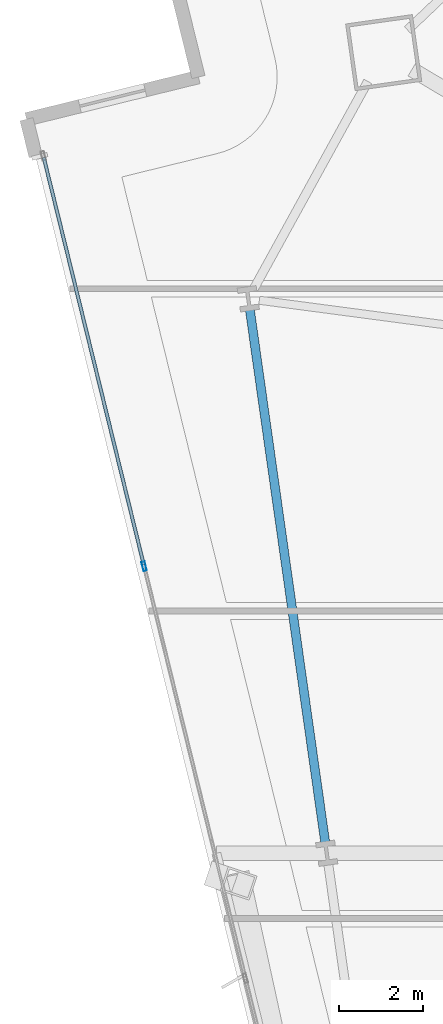
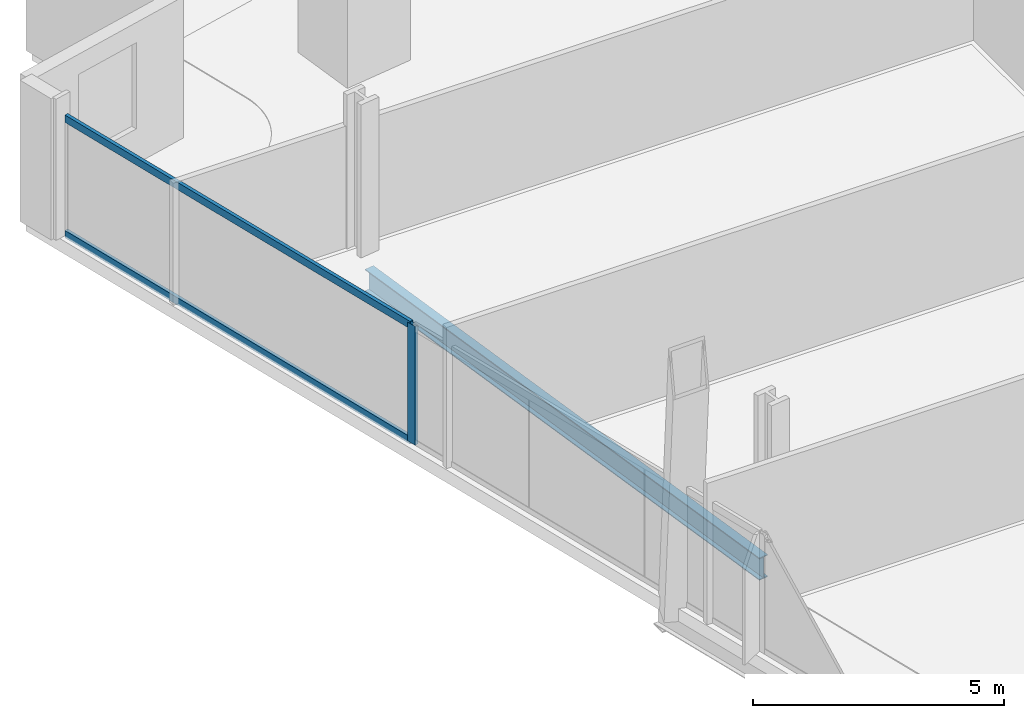
# One storey, part 12 of 32: 3 members, 1 beam, 1 element without a shape of its own.
"""IFC4 building model written with IfcOpenShell, lengths in metres."""

from ifc_helpers import new_model, si_unit, direction, frame, origin, origin_2d, place, context, subcontext, project, spatial, hollow_rectangle, i_section, extrude, material, material_profile, profile_set, type_object, element, aggregate, save


model = new_model("IFC4")

# Units and contexts
model_context = context("Model", 3, precision=1e-05, world=origin(), true_north=direction((0.0, 1.0)))
body_context = subcontext(model_context, "Body", "Model", "MODEL_VIEW")
ifc_project = project(units=[si_unit("LENGTHUNIT", "METRE"), si_unit("AREAUNIT", "SQUARE_METRE"), si_unit("VOLUMEUNIT", "CUBIC_METRE"), si_unit("PLANEANGLEUNIT", "RADIAN"), si_unit("MASSUNIT", "GRAM", prefix="KILO")], contexts=[model_context])

# Site, building, storey
site_placement = place(None, origin())
site = spatial("IfcSite", under=ifc_project, at=site_placement, CompositionType="ELEMENT")
building_placement = place(site_placement, origin())
building = spatial("IfcBuilding", under=site, at=building_placement, Name="Haldenkirk Collegiate Tower", CompositionType="ELEMENT")
storey_placement = place(building_placement, frame((0.0, 0.0, 73.949951171875)))
storey = spatial("IfcBuildingStorey", under=building, at=storey_placement, Name="L17", CompositionType="ELEMENT", Elevation=73.949951171875)

# Beam
ifc_material_1 = material(Name="Steel ASTM A992 Grade 50", Category="steel")
ifc_material_profile_1 = material_profile(ifc_material_1, i_section(OverallWidth=0.2119140625, OverallDepth=0.5439453125, WebThickness=0.01318359375, FlangeThickness=0.021240234375, at=origin_2d()), Name="W21X83")
ifc_profile_set_1 = profile_set([ifc_material_profile_1], Name="Steel ASTM A992 Grade 50")
beam_type = type_object("IfcBeamType", Name="BM-SPANDREL-W21X83", PredefinedType="SPANDREL", material=ifc_profile_set_1)
beam_placement = place(storey_placement, frame((10.30322265625, 35.951171875, -0.58203125), z_axis=(0.140049989419, -0.990144434143, 0.0), x_axis=(0.990144434143, 0.140049989419, 0.0)))
element("IfcBeam", 1, at=beam_placement, inside=storey, type_object=beam_type, Name="L17 perimeter spandrel beam 14", PredefinedType="SPANDREL", context=body_context, shape_type="SweptSolid", body=[
    extrude(i_section(OverallWidth=0.2119140625, OverallDepth=0.5439453125, WebThickness=0.01318359375, FlangeThickness=0.021240234375, at=origin_2d()), origin(), (0.0, 0.0, 1.0), 12.76220703125),
])

# Curtain wall, members
ifc_material_2 = material(Name="Anodised architectural bronze aluminium", Category="aluminium")
curtain_wall_type = type_object("IfcCurtainWallType", Name="CW-SYS1-CONVEX-LOW", PredefinedType="USERDEFINED", material=ifc_material_2)
curtain_wall_placement = place(storey_placement, origin())
curtain_wall = element("IfcCurtainWall", 2, at=curtain_wall_placement, inside=storey, type_object=curtain_wall_type, Name="L17 Lower tower convex bronze-framed unitised curtain wall", ObjectType="UNITISED CURTAIN WALL", PredefinedType="USERDEFINED")
ifc_material_profile_2 = material_profile(ifc_material_2, hollow_rectangle(XDim=0.080078125, YDim=0.219970703125, WallThickness=0.0048828125, at=origin_2d()), Name="CW-MUL-1A")
ifc_profile_set_2 = profile_set([ifc_material_profile_2], Name="Anodised architectural bronze aluminium")
member_type_1 = type_object("IfcMemberType", Name="CW-MUL-1A", PredefinedType="MULLION", material=ifc_profile_set_2)
member_1_placement = place(storey_placement, frame((7.7939453125, 29.86474609375, 0.0), z_axis=(0.0, 0.0, 1.0), x_axis=(-0.97113457572, -0.238532253249, 0.0)))
member_1 = element("IfcMember", 3, at=member_1_placement, type_object=member_type_1, Name="CW-1A mullion 4", PredefinedType="MULLION", context=body_context, shape_type="SweptSolid", body=[
    extrude(hollow_rectangle(XDim=0.080078125, YDim=0.219970703125, WallThickness=0.0048828125, at=origin_2d()), origin(), (0.0, 0.0, 1.0), 2.89111328125),
])
ifc_material_profile_3 = material_profile(ifc_material_2, hollow_rectangle(XDim=0.080078125, YDim=0.179931640625, WallThickness=0.0048828125, at=origin_2d()), Name="CW-TRN-1A")
ifc_profile_set_3 = profile_set([ifc_material_profile_3], Name="Anodised architectural bronze aluminium")
member_type_2 = type_object("IfcMemberType", Name="CW-TRN-1A", PredefinedType="USERDEFINED", material=ifc_profile_set_3)
member_2_placement = place(storey_placement, frame((7.784423828125, 29.903564453125, 0.0400390625), z_axis=(-0.238526359404, 0.971136023361, 0.0), x_axis=(-0.971136023361, -0.238526359404, 0.0)))
member_2 = element("IfcMember", 4, at=member_2_placement, type_object=member_type_2, Name="CW-1A transom 4.1", ObjectType="TRANSOM", PredefinedType="USERDEFINED", context=body_context, shape_type="SweptSolid", body=[
    extrude(hollow_rectangle(XDim=0.080078125, YDim=0.179931640625, WallThickness=0.0048828125, at=origin_2d()), origin(), (0.0, 0.0, 1.0), 9.94873046875),
])
member_3_placement = place(storey_placement, frame((7.784423828125, 29.903564453125, 2.85107421875), z_axis=(-0.238526359404, 0.971136023361, 0.0), x_axis=(-0.971136023361, -0.238526359404, 0.0)))
member_3 = element("IfcMember", 5, at=member_3_placement, type_object=member_type_2, Name="CW-1A transom 4.2", ObjectType="TRANSOM", PredefinedType="USERDEFINED", context=body_context, shape_type="SweptSolid", body=[
    extrude(hollow_rectangle(XDim=0.080078125, YDim=0.179931640625, WallThickness=0.0048828125, at=origin_2d()), origin(), (0.0, 0.0, 1.0), 9.94873046875),
])
aggregate(curtain_wall, [member_1, member_2, member_3])

save(model, "model.ifc")
